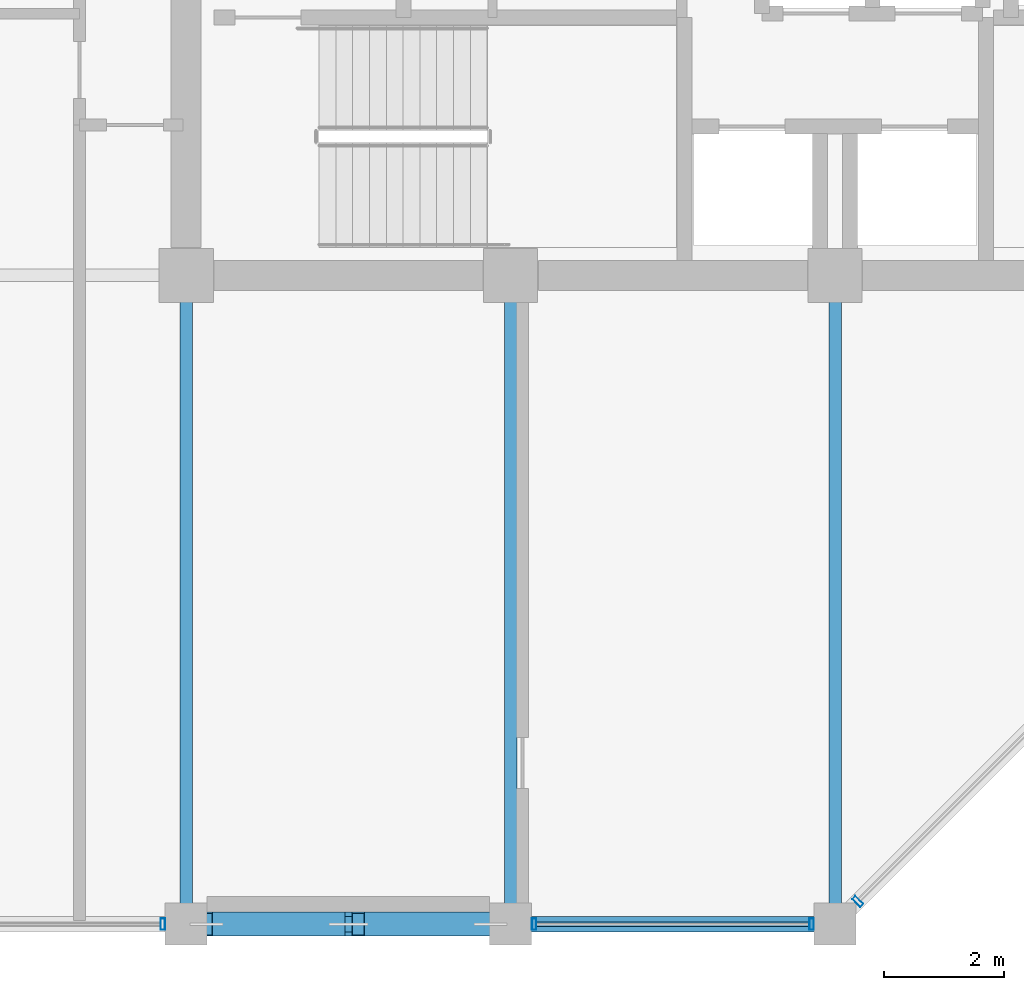
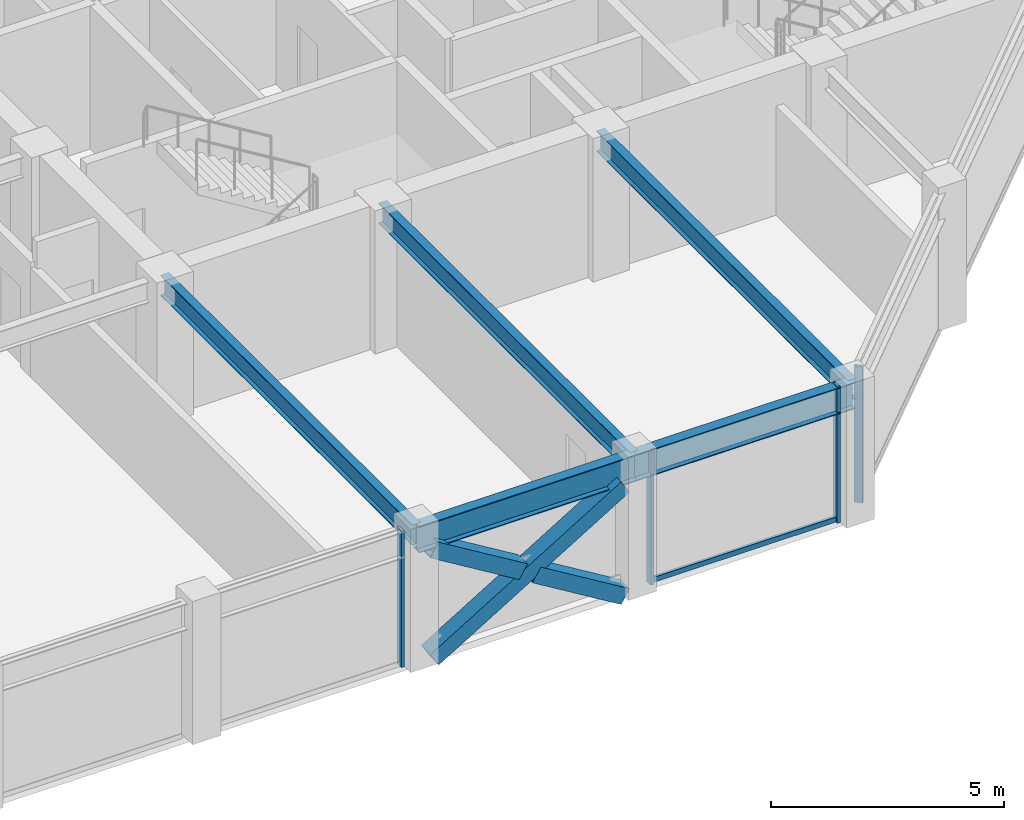
# One storey, part 4 of 31: 8 members, 5 beams, 3 elements without a shape of their own.
"""IFC4 building model written with IfcOpenShell, lengths in metres."""

from ifc_helpers import new_model, si_unit, direction, frame, origin, origin_2d, place, context, subcontext, project, spatial, hollow_rectangle, i_section, extrude, material, layer, layer_set, material_profile, profile_set, type_object, element, aggregate, save


model = new_model("IFC4")

# Units and contexts
model_context = context("Model", 3, precision=1e-05, world=origin(), true_north=direction((0.0, 1.0)))
body_context = subcontext(model_context, "Body", "Model", "MODEL_VIEW")
ifc_project = project(units=[si_unit("LENGTHUNIT", "METRE"), si_unit("AREAUNIT", "SQUARE_METRE"), si_unit("VOLUMEUNIT", "CUBIC_METRE"), si_unit("PLANEANGLEUNIT", "RADIAN"), si_unit("MASSUNIT", "GRAM", prefix="KILO")], contexts=[model_context])

# Site, building, storey
site_placement = place(None, origin())
site = spatial("IfcSite", under=ifc_project, at=site_placement, CompositionType="ELEMENT")
building_placement = place(site_placement, origin())
building = spatial("IfcBuilding", under=site, at=building_placement, Name="Surkhivell Harbour Commons", CompositionType="ELEMENT")
storey_placement = place(building_placement, frame((0.0, 0.0, 266.25)))
storey = spatial("IfcBuildingStorey", under=building, at=storey_placement, Name="L69", CompositionType="ELEMENT", Elevation=266.25)

# Beams
ifc_material_1 = material(Name="Steel S355", Category="steel")
ifc_material_profile_1 = material_profile(ifc_material_1, i_section(OverallWidth=0.2099609375, OverallDepth=0.537109375, WebThickness=0.0107421875, FlangeThickness=0.017333984375, at=origin_2d()), Name="UB533x210x101")
ifc_profile_set_1 = profile_set([ifc_material_profile_1], Name="Steel S355")
beam_type_1 = type_object("IfcBeamType", Name="BM-GRD-533B", PredefinedType="BEAM", material=ifc_profile_set_1)
for number, where, z_axis, x_axis, name in (
    (1, (-10.800048828125, -21.60009765625, 3.301513671875), (0.0, 1.0, 0.0), (-1.0, 0.0, 0.0), "L69 Floor Girder (-10.8,-21.6)"),
    (2, (-5.39990234375, -21.60009765625, 3.301513671875), (0.0, 1.0, 0.0), (-1.0, 0.0, 0.0), "L69 Floor Girder (-5.4,-21.6)"),
    (3, (0.0, -21.60009765625, 3.301513671875), (0.0, 1.0, 0.0), (-1.0, 0.0, 0.0), "L69 Floor Girder (0.0,-21.6)"),
):
    element("IfcBeam", number, at=place(storey_placement, frame(where, z_axis=z_axis, x_axis=x_axis)), inside=storey, type_object=beam_type_1, Name=name, PredefinedType="BEAM", context=body_context, shape_type="SweptSolid", body=[
        extrude(i_section(OverallWidth=0.2099609375, OverallDepth=0.537109375, WebThickness=0.0107421875, FlangeThickness=0.017333984375, at=origin_2d()), origin(), (0.0, 0.0, 1.0), 10.800048828125),
    ])
ifc_material_profile_2 = material_profile(ifc_material_1, i_section(OverallWidth=0.256103515625, OverallDepth=0.693115234375, WebThickness=0.014404296875, FlangeThickness=0.023681640625, at=origin_2d()), Name="UB686x254x170")
ifc_profile_set_2 = profile_set([ifc_material_profile_2], Name="Steel S355")
beam_type_2 = type_object("IfcBeamType", Name="BM-SPN-686", PredefinedType="SPANDREL", material=ifc_profile_set_2)
beam_1_placement = place(storey_placement, frame((-10.800048828125, -21.60009765625, 3.223388671875), z_axis=(1.0, 0.0, 0.0), x_axis=(0.0, 1.0, 0.0)))
element("IfcBeam", 4, at=beam_1_placement, inside=storey, type_object=beam_type_2, Name="L69 Tube Spandrel (-10.8,-21.6)", PredefinedType="SPANDREL", context=body_context, shape_type="SweptSolid", body=[
    extrude(i_section(OverallWidth=0.256103515625, OverallDepth=0.693115234375, WebThickness=0.014404296875, FlangeThickness=0.023681640625, at=origin_2d()), origin(), (0.0, 0.0, 1.0), 5.400146484375),
])
beam_2_placement = place(storey_placement, frame((-5.39990234375, -21.60009765625, 3.223388671875), z_axis=(1.0, 0.0, 0.0), x_axis=(0.0, 1.0, 0.0)))
element("IfcBeam", 5, at=beam_2_placement, inside=storey, type_object=beam_type_2, Name="L69 Tube Spandrel (-5.4,-21.6)", PredefinedType="SPANDREL", context=body_context, shape_type="SweptSolid", body=[
    extrude(i_section(OverallWidth=0.256103515625, OverallDepth=0.693115234375, WebThickness=0.014404296875, FlangeThickness=0.023681640625, at=origin_2d()), origin(), (0.0, 0.0, 1.0), 5.39990234375),
])

# Curtain wall, member
ifc_material_2 = material(Name="Anodised pale-metal aluminium and insulated glazing", Category="aluminium")
ifc_layer = layer(ifc_material_2, 0.175048828125)
ifc_layer_set = layer_set([ifc_layer], Name="Anodised pale-metal aluminium and insulated glazing")
curtain_wall_type = type_object("IfcCurtainWallType", Name="CW-SYS-Z4", PredefinedType="NOTDEFINED", material=ifc_layer_set)
curtain_wall_1_placement = place(storey_placement, origin())
curtain_wall_1 = element("IfcCurtainWall", 6, at=curtain_wall_1_placement, inside=storey, type_object=curtain_wall_type, Name="L69 Curtain Wall CW-L69-E00S1", PredefinedType="NOTDEFINED")
ifc_material_3 = material(Name="Anodised pale-metal aluminium alloy 6063-T6", Category="aluminium")
ifc_material_profile_3 = material_profile(ifc_material_3, hollow_rectangle(XDim=0.074951171875, YDim=0.18994140625, WallThickness=0.00390625, at=origin_2d()), Name="ALU-MULL-75x190")
ifc_profile_set_3 = profile_set([ifc_material_profile_3], Name="Anodised pale-metal aluminium alloy 6063-T6")
member_type_1 = type_object("IfcMemberType", Name="CWM-190", PredefinedType="MULLION", material=ifc_profile_set_3)
member_1_placement = place(storey_placement, frame((-11.189453125, -21.60009765625, 0.0), z_axis=(0.0, 0.0, 1.0), x_axis=(1.0, 0.0, 0.0)))
member_1 = element("IfcMember", 7, at=member_1_placement, type_object=member_type_1, Name="CW-Z4 mullion 3", PredefinedType="MULLION", context=body_context, shape_type="SweptSolid", body=[
    extrude(hollow_rectangle(XDim=0.074951171875, YDim=0.18994140625, WallThickness=0.00390625, at=origin_2d()), origin(), (0.0, 0.0, 1.0), 3.570068359375),
])
aggregate(curtain_wall_1, [member_1])

# Curtain wall, members
curtain_wall_2_placement = place(storey_placement, origin())
curtain_wall_2 = element("IfcCurtainWall", 8, at=curtain_wall_2_placement, inside=storey, type_object=curtain_wall_type, Name="L69 Curtain Wall CW-L69-E00S2", PredefinedType="NOTDEFINED")
member_2_placement = place(storey_placement, frame((-5.010498046875, -21.60009765625, 0.0), z_axis=(0.0, 0.0, 1.0), x_axis=(1.0, 0.0, 0.0)))
member_2 = element("IfcMember", 9, at=member_2_placement, type_object=member_type_1, Name="CW-Z4 mullion 1", PredefinedType="MULLION", context=body_context, shape_type="SweptSolid", body=[
    extrude(hollow_rectangle(XDim=0.074951171875, YDim=0.18994140625, WallThickness=0.00390625, at=origin_2d()), origin(), (0.0, 0.0, 1.0), 3.570068359375),
])
member_3_placement = place(storey_placement, frame((-0.389404296875, -21.60009765625, 0.0), z_axis=(0.0, 0.0, 1.0), x_axis=(1.0, 0.0, 0.0)))
member_3 = element("IfcMember", 10, at=member_3_placement, type_object=member_type_1, Name="CW-Z4 mullion 2", PredefinedType="MULLION", context=body_context, shape_type="SweptSolid", body=[
    extrude(hollow_rectangle(XDim=0.074951171875, YDim=0.18994140625, WallThickness=0.00390625, at=origin_2d()), origin(), (0.0, 0.0, 1.0), 3.570068359375),
])

# Curtain wall, member
curtain_wall_3_placement = place(storey_placement, origin())
curtain_wall_3 = element("IfcCurtainWall", 11, at=curtain_wall_3_placement, inside=storey, type_object=curtain_wall_type, Name="L69 Curtain Wall CW-L69-E01", PredefinedType="NOTDEFINED")
member_4_placement = place(storey_placement, frame((0.378173828125, -21.221923828125, 0.0), z_axis=(0.0, 0.0, 1.0), x_axis=(0.707106781187, 0.707106781187, 0.0)))
member_4 = element("IfcMember", 12, at=member_4_placement, type_object=member_type_1, Name="CW-Z4 mullion 1", PredefinedType="MULLION", context=body_context, shape_type="SweptSolid", body=[
    extrude(hollow_rectangle(XDim=0.074951171875, YDim=0.18994140625, WallThickness=0.00390625, at=origin_2d()), origin(), (0.0, 0.0, 1.0), 3.570068359375),
])
aggregate(curtain_wall_3, [member_4])

# Member
ifc_material_4 = material(Name="Champagne anodised aluminium alloy 6063-T6", Category="aluminium")
ifc_material_profile_4 = material_profile(ifc_material_4, hollow_rectangle(XDim=0.070068359375, YDim=0.1298828125, WallThickness=0.00341796875, at=origin_2d()), Name="ALU-TRAN-70x130")
ifc_profile_set_4 = profile_set([ifc_material_profile_4], Name="Champagne anodised aluminium alloy 6063-T6")
member_type_2 = type_object("IfcMemberType", Name="CWT-130", PredefinedType="USERDEFINED", material=ifc_profile_set_4)
member_5_placement = place(storey_placement, frame((-4.972900390625, -21.60009765625, 0.06494140625), z_axis=(1.0, 0.0, 0.0), x_axis=(0.0, 1.0, 0.0)))
member_5 = element("IfcMember", 13, at=member_5_placement, type_object=member_type_2, Name="CW-Z4 transom 1.1", ObjectType="TRANSOM", PredefinedType="USERDEFINED", context=body_context, shape_type="SweptSolid", body=[
    extrude(hollow_rectangle(XDim=0.070068359375, YDim=0.1298828125, WallThickness=0.00341796875, at=origin_2d()), origin(), (0.0, 0.0, 1.0), 4.5458984375),
])

aggregate(curtain_wall_2, [member_2, member_3, member_5])

# Members
ifc_material_5 = material(Name="Steel S460", Category="steel")
ifc_material_profile_5 = material_profile(ifc_material_5, hollow_rectangle(XDim=0.39990234375, YDim=0.39990234375, WallThickness=0.02001953125, at=origin_2d()), Name="SHS400x400x20")
ifc_profile_set_5 = profile_set([ifc_material_profile_5], Name="Steel S460")
member_type_3 = type_object("IfcMemberType", Name="MEM-BRC-SHS400", PredefinedType="BRACE", material=ifc_profile_set_5)
member_6_placement = place(storey_placement, frame((-10.465087890625, -21.60009765625, 0.008056640625), z_axis=(0.854685454322, 0.0, 0.519146197299), x_axis=(0.0, 1.0, 0.0)))
element("IfcMember", 14, at=member_6_placement, inside=storey, type_object=member_type_3, Name="L69 Perimeter Mega-Brace MB- 07", PredefinedType="BRACE", context=body_context, shape_type="SweptSolid", body=[
    extrude(hollow_rectangle(XDim=0.39990234375, YDim=0.39990234375, WallThickness=0.02001953125, at=origin_2d()), origin(), (0.0, 0.0, 1.0), 5.5341796875),
])
member_7_placement = place(storey_placement, frame((-5.735107421875, -21.60009765625, 0.008056640625), z_axis=(-0.854694361898, 0.0, 0.519131532215), x_axis=(0.0, -1.0, 0.0)))
element("IfcMember", 15, at=member_7_placement, inside=storey, type_object=member_type_3, Name="L69 Perimeter Mega-Brace MB- 08", PredefinedType="BRACE", context=body_context, shape_type="SweptSolid", body=[
    extrude(hollow_rectangle(XDim=0.39990234375, YDim=0.39990234375, WallThickness=0.02001953125, at=origin_2d()), origin(), (0.0, 0.0, 1.0), 2.57470703125),
])
member_8_placement = place(storey_placement, frame((-8.26416015625, -21.60009765625, 1.544189453125), z_axis=(-0.854677846108, 0.0, 0.519158722716), x_axis=(0.0, -1.0, 0.0)))
element("IfcMember", 16, at=member_8_placement, inside=storey, type_object=member_type_3, Name="L69 Perimeter Mega-Brace MB- 09", PredefinedType="BRACE", context=body_context, shape_type="SweptSolid", body=[
    extrude(hollow_rectangle(XDim=0.39990234375, YDim=0.39990234375, WallThickness=0.02001953125, at=origin_2d()), origin(), (0.0, 0.0, 1.0), 2.5751953125),
])

save(model, "model.ifc")
